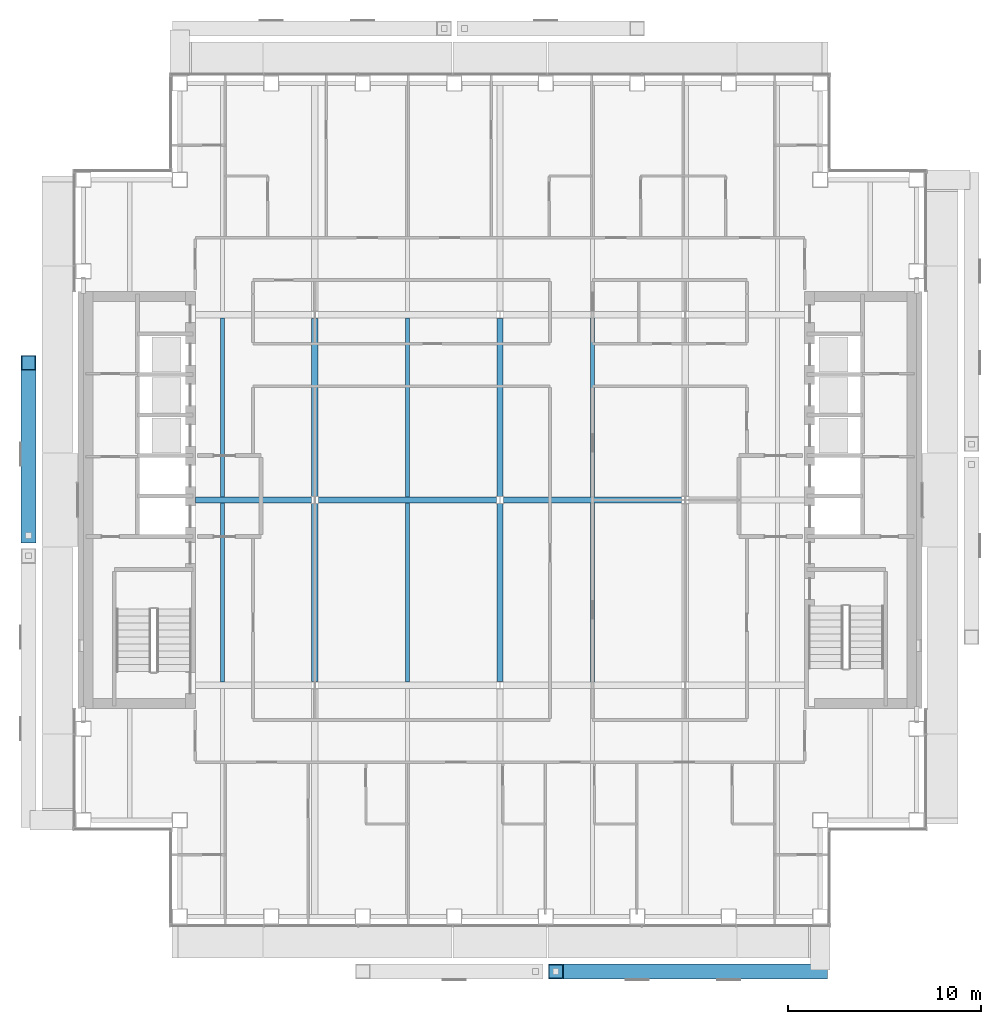
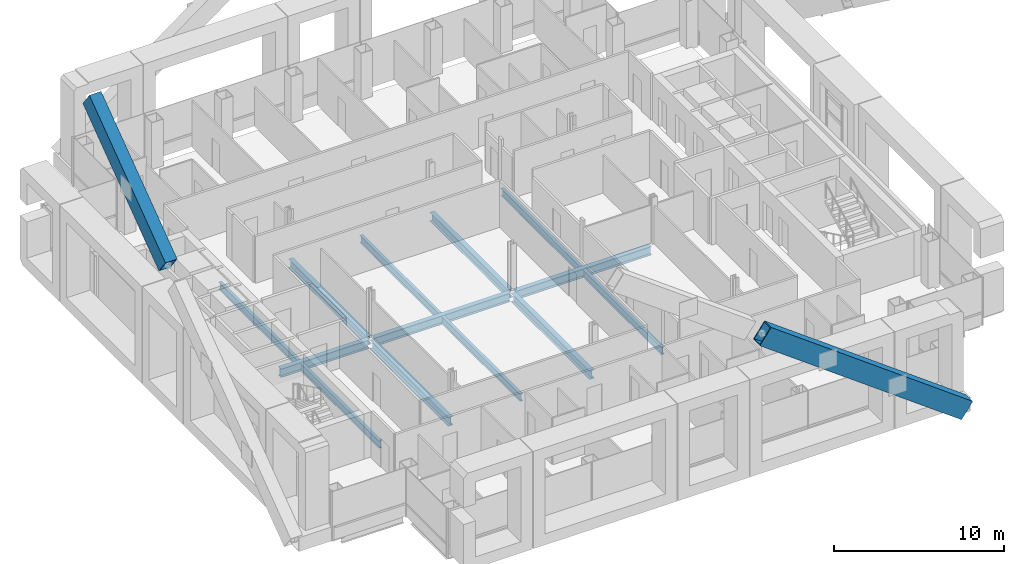
# One storey, part 5 of 22: 13 beams, 2 members.
"""IFC4 building model written with IfcOpenShell, lengths in metres."""

from ifc_helpers import new_model, si_unit, direction, frame, origin, origin_2d, place, context, subcontext, project, spatial, hollow_rectangle, i_section, extrude, material, material_profile, profile_set, type_object, element, save


model = new_model("IFC4")

# Units and contexts
model_context = context("Model", 3, precision=1e-05, world=origin(), true_north=direction((0.0, 1.0)))
body_context = subcontext(model_context, "Body", "Model", "MODEL_VIEW")
ifc_project = project(units=[si_unit("LENGTHUNIT", "METRE"), si_unit("AREAUNIT", "SQUARE_METRE"), si_unit("VOLUMEUNIT", "CUBIC_METRE"), si_unit("PLANEANGLEUNIT", "RADIAN"), si_unit("MASSUNIT", "GRAM", prefix="KILO")], contexts=[model_context])

# Site, building, storey
site_placement = place(None, origin())
site = spatial("IfcSite", under=ifc_project, at=site_placement, CompositionType="ELEMENT")
building_placement = place(site_placement, origin())
building = spatial("IfcBuilding", under=site, at=building_placement, Name="Cobrizo Arcos Hotel Tower", CompositionType="ELEMENT")
storey_placement = place(building_placement, frame((0.0, 0.0, 155.0)))
storey = spatial("IfcBuildingStorey", under=building, at=storey_placement, Name="L39", CompositionType="ELEMENT", Elevation=155.0)

# Members
ifc_material_1 = material(Name="Steel ASTM A572 Grade 50", Category="steel")
ifc_material_profile_1 = material_profile(ifc_material_1, hollow_rectangle(XDim=0.800048828125, YDim=1.300048828125, WallThickness=0.06005859375, at=origin_2d()), Name="BOX 800X1300X60")
ifc_profile_set_1 = profile_set([ifc_material_profile_1], Name="Steel ASTM A572 Grade 50")
member_type = type_object("IfcMemberType", Name="BOX 800X1300X60 perimeter brace", PredefinedType="BRACE", material=ifc_profile_set_1)
member_1_placement = place(storey_placement, frame((16.60009765625, -24.449951171875, 0.5), z_axis=(-0.804630166974, 0.0, 0.593776299961), x_axis=(0.0, -1.0, 0.0)))
element("IfcMember", 1, at=member_1_placement, inside=storey, type_object=member_type, Name="Perimeter brace PBR3, zone Z3, south face, no. 07", PredefinedType="BRACE", context=body_context, shape_type="SweptSolid", body=[
    extrude(hollow_rectangle(XDim=0.800048828125, YDim=1.300048828125, WallThickness=0.06005859375, at=origin_2d()), origin(), (0.0, 0.0, 1.0), 17.033447265625),
])
member_2_placement = place(storey_placement, frame((-24.449951171875, -1.84814453125, 11.385986328125), z_axis=(0.0, 0.804620954099, 0.593788784186), x_axis=(-1.0, 0.0, 0.0)))
element("IfcMember", 2, at=member_2_placement, inside=storey, type_object=member_type, Name="Perimeter brace PBR3, zone Z3, west face, no. 07b", PredefinedType="BRACE", context=body_context, shape_type="SweptSolid", body=[
    extrude(hollow_rectangle(XDim=0.800048828125, YDim=1.300048828125, WallThickness=0.06005859375, at=origin_2d()), origin(), (0.0, 0.0, 1.0), 11.138671875),
])

# Beams
ifc_material_2 = material(Name="Steel ASTM A992 Grade 50", Category="steel")
ifc_material_profile_2 = material_profile(ifc_material_2, i_section(OverallWidth=0.209228515625, OverallDepth=0.533447265625, WebThickness=0.01025390625, FlangeThickness=0.015625, at=origin_2d()), Name="W21X62")
ifc_profile_set_2 = profile_set([ifc_material_profile_2], Name="Steel ASTM A992 Grade 50")
beam_type_1 = type_object("IfcBeamType", Name="W21X62 joist", PredefinedType="JOIST", material=ifc_profile_set_2)
for number, where, z_axis, x_axis, name in (
    (3, (-14.39990234375, -9.43603515625, -0.416748046875), (0.0, 1.0, 0.0), (-1.0, 0.0, 0.0), "Floor joist J1, L39, no. 004"),
    (4, (-14.39990234375, 0.163818359375, -0.416748046875), (0.0, 1.0, 0.0), (-1.0, 0.0, 0.0), "Floor joist J1, L39, no. 005"),
    (5, (-4.800048828125, -9.43603515625, -0.416748046875), (0.0, 1.0, 0.0), (-1.0, 0.0, 0.0), "Floor joist J1, L39, no. 008"),
    (6, (-4.800048828125, 0.163818359375, -0.416748046875), (0.0, 1.0, 0.0), (-1.0, 0.0, 0.0), "Floor joist J1, L39, no. 009"),
    (7, (4.800048828125, -9.43603515625, -0.416748046875), (0.0, 1.0, 0.0), (-1.0, 0.0, 0.0), "Floor joist J1, L39, no. 012"),
    (8, (4.800048828125, 0.163818359375, -0.416748046875), (0.0, 1.0, 0.0), (-1.0, 0.0, 0.0), "Floor joist J1, L39, no. 013"),
):
    element("IfcBeam", number, at=place(storey_placement, frame(where, z_axis=z_axis, x_axis=x_axis)), inside=storey, type_object=beam_type_1, Name=name, PredefinedType="JOIST", context=body_context, shape_type="SweptSolid", body=[
        extrude(i_section(OverallWidth=0.209228515625, OverallDepth=0.533447265625, WebThickness=0.01025390625, FlangeThickness=0.015625, at=origin_2d()), origin(), (0.0, 0.0, 1.0), 9.272216796875),
    ])
ifc_material_profile_3 = material_profile(ifc_material_2, i_section(OverallWidth=0.32763671875, OverallDepth=0.622314453125, WebThickness=0.015380859375, FlangeThickness=0.0244140625, at=origin_2d()), Name="W24X131")
ifc_profile_set_3 = profile_set([ifc_material_profile_3], Name="Steel ASTM A992 Grade 50")
beam_type_2 = type_object("IfcBeamType", Name="W24X131 girder", PredefinedType="BEAM", material=ifc_profile_set_3)
beam_placement = place(storey_placement, frame((-15.7900390625, 0.0, -0.461181640625), z_axis=(1.0, 0.0, 0.0), x_axis=(0.0, 1.0, 0.0)))
element("IfcBeam", 9, at=beam_placement, inside=storey, type_object=beam_type_2, Name="Floor girder G1, L39, no. 005", PredefinedType="BEAM", context=body_context, shape_type="SweptSolid", body=[
    extrude(i_section(OverallWidth=0.32763671875, OverallDepth=0.622314453125, WebThickness=0.015380859375, FlangeThickness=0.0244140625, at=origin_2d()), origin(), (0.0, 0.0, 1.0), 6.00341796875),
])
for number, where, z_axis, x_axis, name in (
    (10, (-9.413330078125, 0.0, -0.461181640625), (1.0, 0.0, 0.0), (0.0, 1.0, 0.0), "Floor girder G1, L39, no. 006"),
    (11, (0.186767578125, 0.0, -0.461181640625), (1.0, 0.0, 0.0), (0.0, 1.0, 0.0), "Floor girder G1, L39, no. 007"),
    (12, (-9.60009765625, -9.413330078125, -0.461181640625), (0.0, 1.0, 0.0), (-1.0, 0.0, 0.0), "Floor girder G1, L39, no. 014"),
    (13, (-9.60009765625, 0.186767578125, -0.461181640625), (0.0, 1.0, 0.0), (-1.0, 0.0, 0.0), "Floor girder G1, L39, no. 015"),
    (14, (0.0, -9.413330078125, -0.461181640625), (0.0, 1.0, 0.0), (-1.0, 0.0, 0.0), "Floor girder G1, L39, no. 018"),
    (15, (0.0, 0.186767578125, -0.461181640625), (0.0, 1.0, 0.0), (-1.0, 0.0, 0.0), "Floor girder G1, L39, no. 019"),
):
    element("IfcBeam", number, at=place(storey_placement, frame(where, z_axis=z_axis, x_axis=x_axis)), inside=storey, type_object=beam_type_2, Name=name, PredefinedType="BEAM", context=body_context, shape_type="SweptSolid", body=[
        extrude(i_section(OverallWidth=0.32763671875, OverallDepth=0.622314453125, WebThickness=0.015380859375, FlangeThickness=0.0244140625, at=origin_2d()), origin(), (0.0, 0.0, 1.0), 9.2265625),
    ])

save(model, "model.ifc")
